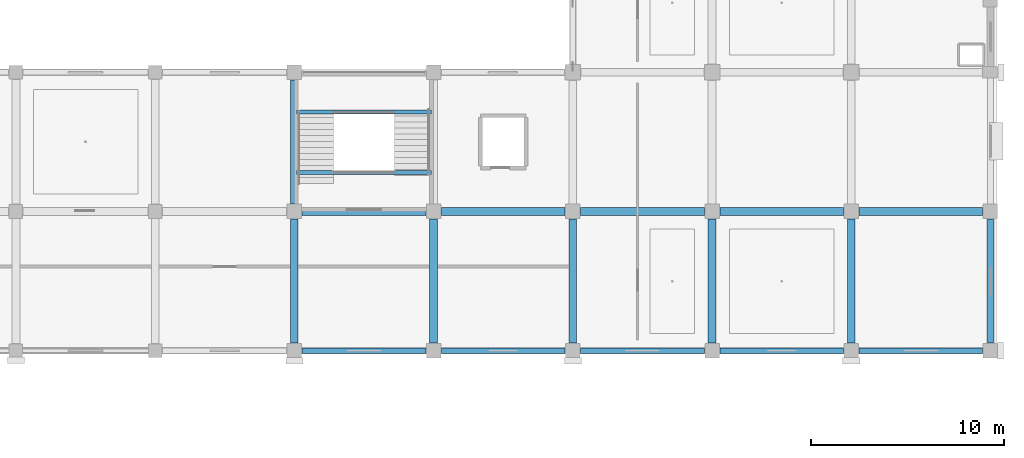
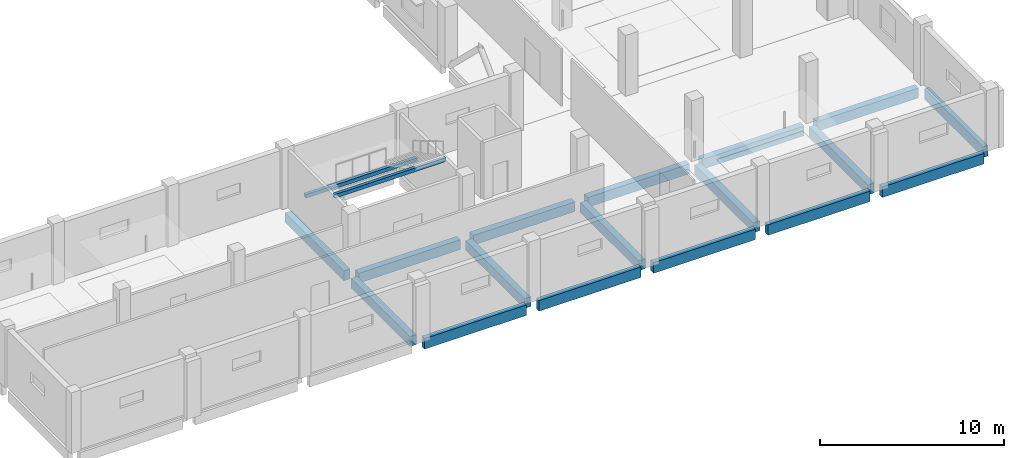
# One storey, part 53 of 107: 19 beams.
"""IFC4 building model written with IfcOpenShell, lengths in metres."""

from ifc_helpers import new_model, si_unit, direction, frame, origin, origin_2d, place, context, subcontext, project, spatial, rectangle, extrude, material, material_profile, profile_set, type_object, element, save


model = new_model("IFC4")

# Units and contexts
model_context = context("Model", 3, precision=1e-05, world=origin(), true_north=direction((0.0, 1.0)))
body_context = subcontext(model_context, "Body", "Model", "MODEL_VIEW")
ifc_project = project(units=[si_unit("LENGTHUNIT", "METRE"), si_unit("AREAUNIT", "SQUARE_METRE"), si_unit("VOLUMEUNIT", "CUBIC_METRE"), si_unit("PLANEANGLEUNIT", "RADIAN"), si_unit("MASSUNIT", "GRAM", prefix="KILO")], contexts=[model_context])

# Site, building, storey
site_placement = place(None, origin())
site = spatial("IfcSite", under=ifc_project, at=site_placement, CompositionType="ELEMENT")
building_placement = place(site_placement, origin())
building = spatial("IfcBuilding", under=site, at=building_placement, Name="Kangsadwip Square Police Headquarters", CompositionType="ELEMENT")
storey_placement = place(building_placement, frame((0.0, 0.0, 5.39990234375)))
storey = spatial("IfcBuildingStorey", under=building, at=storey_placement, Name="L01", CompositionType="ELEMENT", Elevation=5.39990234375)

# Beams
ifc_material_1 = material(Name="Concrete M35 (35 MPa)", Category="concrete")
ifc_material_profile_1 = material_profile(ifc_material_1, rectangle(XDim=0.39990234375, YDim=0.64990234375, at=origin_2d()), Name="RC BM 650X400")
ifc_profile_set_1 = profile_set([ifc_material_profile_1], Name="Concrete M35 (35 MPa)")
beam_type_1 = type_object("IfcBeamType", Name="RcBeam650x400", PredefinedType="BEAM", material=ifc_profile_set_1)
beam_1_placement = place(storey_placement, frame((130.0, 28.800048828125, -0.56494140625), z_axis=(1.0, 0.0, 0.0), x_axis=(0.0, 1.0, 0.0)))
element("IfcBeam", 1, at=beam_1_placement, inside=storey, type_object=beam_type_1, Name="Beam BM-L01-X-18-04", PredefinedType="BEAM", context=body_context, shape_type="SweptSolid", body=[
    extrude(rectangle(XDim=0.39990234375, YDim=0.64990234375, at=origin_2d()), origin(), (0.0, 0.0, 1.0), 6.39990234375),
])
for number, where, z_axis, x_axis, name in (
    (2, (137.199951171875, 28.800048828125, -0.56494140625), (1.0, 0.0, 0.0), (0.0, 1.0, 0.0), "Beam BM-L01-X-19-04"),
    (3, (144.39990234375, 28.800048828125, -0.56494140625), (1.0, 0.0, 0.0), (0.0, 1.0, 0.0), "Beam BM-L01-X-20-04"),
):
    element("IfcBeam", number, at=place(storey_placement, frame(where, z_axis=z_axis, x_axis=x_axis)), inside=storey, type_object=beam_type_1, Name=name, PredefinedType="BEAM", context=body_context, shape_type="SweptSolid", body=[
        extrude(rectangle(XDim=0.39990234375, YDim=0.64990234375, at=origin_2d()), origin(), (0.0, 0.0, 1.0), 6.400146484375),
    ])
for number, where, z_axis, x_axis, name in (
    (4, (151.60009765625, 28.800048828125, -0.56494140625), (1.0, 0.0, 0.0), (0.0, 1.0, 0.0), "Beam BM-L01-X-21-04"),
    (5, (158.800048828125, 28.800048828125, -0.56494140625), (1.0, 0.0, 0.0), (0.0, 1.0, 0.0), "Beam BM-L01-X-22-04"),
    (6, (129.60009765625, 22.0, -0.56494140625), (0.0, 1.0, 0.0), (-1.0, 0.0, 0.0), "Beam BM-L01-Y-18-03"),
):
    element("IfcBeam", number, at=place(storey_placement, frame(where, z_axis=z_axis, x_axis=x_axis)), inside=storey, type_object=beam_type_1, Name=name, PredefinedType="BEAM", context=body_context, shape_type="SweptSolid", body=[
        extrude(rectangle(XDim=0.39990234375, YDim=0.64990234375, at=origin_2d()), origin(), (0.0, 0.0, 1.0), 6.39990234375),
    ])
beam_2_placement = place(storey_placement, frame((129.60009765625, 29.199951171875, -0.56494140625), z_axis=(0.0, 1.0, 0.0), x_axis=(-1.0, 0.0, 0.0)))
element("IfcBeam", 7, at=beam_2_placement, inside=storey, type_object=beam_type_1, Name="Beam BM-L01-Y-18-04", PredefinedType="BEAM", context=body_context, shape_type="SweptSolid", body=[
    extrude(rectangle(XDim=0.39990234375, YDim=0.64990234375, at=origin_2d()), origin(), (0.0, 0.0, 1.0), 6.400146484375),
])
for number, where, z_axis, x_axis, name in (
    (8, (136.800048828125, 22.0, -0.56494140625), (0.0, 1.0, 0.0), (-1.0, 0.0, 0.0), "Beam BM-L01-Y-19-03"),
    (9, (144.0, 22.0, -0.56494140625), (0.0, 1.0, 0.0), (-1.0, 0.0, 0.0), "Beam BM-L01-Y-20-03"),
    (10, (151.199951171875, 22.0, -0.56494140625), (0.0, 1.0, 0.0), (-1.0, 0.0, 0.0), "Beam BM-L01-Y-21-03"),
    (11, (158.39990234375, 22.0, -0.56494140625), (0.0, 1.0, 0.0), (-1.0, 0.0, 0.0), "Beam BM-L01-Y-22-03"),
):
    element("IfcBeam", number, at=place(storey_placement, frame(where, z_axis=z_axis, x_axis=x_axis)), inside=storey, type_object=beam_type_1, Name=name, PredefinedType="BEAM", context=body_context, shape_type="SweptSolid", body=[
        extrude(rectangle(XDim=0.39990234375, YDim=0.64990234375, at=origin_2d()), origin(), (0.0, 0.0, 1.0), 6.39990234375),
    ])
ifc_material_2 = material(Name="Concrete M30 (30 MPa)", Category="concrete")
ifc_material_profile_2 = material_profile(ifc_material_2, rectangle(XDim=0.199951171875, YDim=0.25, at=origin_2d()), Name="RC LNT 250X200")
ifc_profile_set_2 = profile_set([ifc_material_profile_2], Name="Concrete M30 (30 MPa)")
beam_type_2 = type_object("IfcBeamType", Name="RcLintel250x200", PredefinedType="LINTEL", material=ifc_profile_set_2)
for number, where, z_axis, x_axis, name in (
    (12, (129.699951171875, 33.93994140625, 1.801025390625), (1.0, 0.0, 0.0), (0.0, 1.0, 0.0), "Stair Carriage and Landing Beam BM-ST-L01-081"),
    (13, (129.699951171875, 30.820068359375, 3.68505859375), (1.0, 0.0, 0.0), (0.0, 1.0, 0.0), "Stair Carriage and Landing Beam BM-ST-L01-082"),
):
    element("IfcBeam", number, at=place(storey_placement, frame(where, z_axis=z_axis, x_axis=x_axis)), inside=storey, type_object=beam_type_2, Name=name, PredefinedType="BEAM", context=body_context, shape_type="SweptSolid", body=[
        extrude(rectangle(XDim=0.199951171875, YDim=0.25, at=origin_2d()), origin(), (0.0, 0.0, 1.0), 7.0),
    ])
ifc_material_3 = material(Name="Concrete M40 (40 MPa)", Category="concrete")
ifc_material_profile_3 = material_profile(ifc_material_3, rectangle(XDim=0.300048828125, YDim=0.699951171875, at=origin_2d()), Name="RC SPN 700X300")
ifc_profile_set_3 = profile_set([ifc_material_profile_3], Name="Concrete M40 (40 MPa)")
beam_type_3 = type_object("IfcBeamType", Name="RcSpandrel700x300", PredefinedType="SPANDREL", material=ifc_profile_set_3)
beam_3_placement = place(storey_placement, frame((130.0, 21.60009765625, -0.58984375), z_axis=(1.0, 0.0, 0.0), x_axis=(0.0, 1.0, 0.0)))
element("IfcBeam", 14, at=beam_3_placement, inside=storey, type_object=beam_type_3, Name="Beam BM-L01-X-18-03", PredefinedType="SPANDREL", context=body_context, shape_type="SweptSolid", body=[
    extrude(rectangle(XDim=0.300048828125, YDim=0.699951171875, at=origin_2d()), origin(), (0.0, 0.0, 1.0), 6.39990234375),
])
for number, where, z_axis, x_axis, name in (
    (15, (137.199951171875, 21.60009765625, -0.58984375), (1.0, 0.0, 0.0), (0.0, 1.0, 0.0), "Beam BM-L01-X-19-03"),
    (16, (144.39990234375, 21.60009765625, -0.58984375), (1.0, 0.0, 0.0), (0.0, 1.0, 0.0), "Beam BM-L01-X-20-03"),
):
    element("IfcBeam", number, at=place(storey_placement, frame(where, z_axis=z_axis, x_axis=x_axis)), inside=storey, type_object=beam_type_3, Name=name, PredefinedType="SPANDREL", context=body_context, shape_type="SweptSolid", body=[
        extrude(rectangle(XDim=0.300048828125, YDim=0.699951171875, at=origin_2d()), origin(), (0.0, 0.0, 1.0), 6.400146484375),
    ])
for number, where, z_axis, x_axis, name in (
    (17, (151.60009765625, 21.60009765625, -0.58984375), (1.0, 0.0, 0.0), (0.0, 1.0, 0.0), "Beam BM-L01-X-21-03"),
    (18, (158.800048828125, 21.60009765625, -0.58984375), (1.0, 0.0, 0.0), (0.0, 1.0, 0.0), "Beam BM-L01-X-22-03"),
    (19, (165.60009765625, 22.0, -0.58984375), (0.0, 1.0, 0.0), (-1.0, 0.0, 0.0), "Beam BM-L01-Y-23-03"),
):
    element("IfcBeam", number, at=place(storey_placement, frame(where, z_axis=z_axis, x_axis=x_axis)), inside=storey, type_object=beam_type_3, Name=name, PredefinedType="SPANDREL", context=body_context, shape_type="SweptSolid", body=[
        extrude(rectangle(XDim=0.300048828125, YDim=0.699951171875, at=origin_2d()), origin(), (0.0, 0.0, 1.0), 6.39990234375),
    ])

save(model, "model.ifc")
